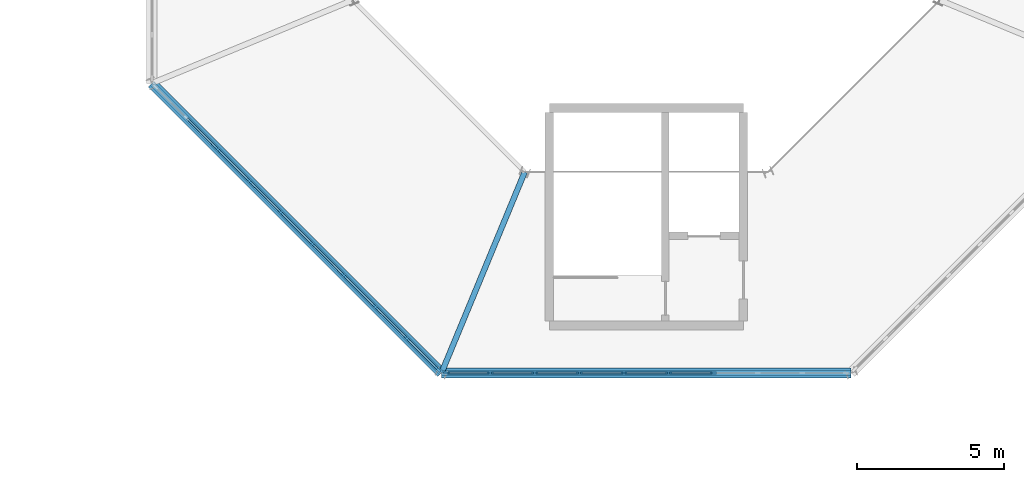
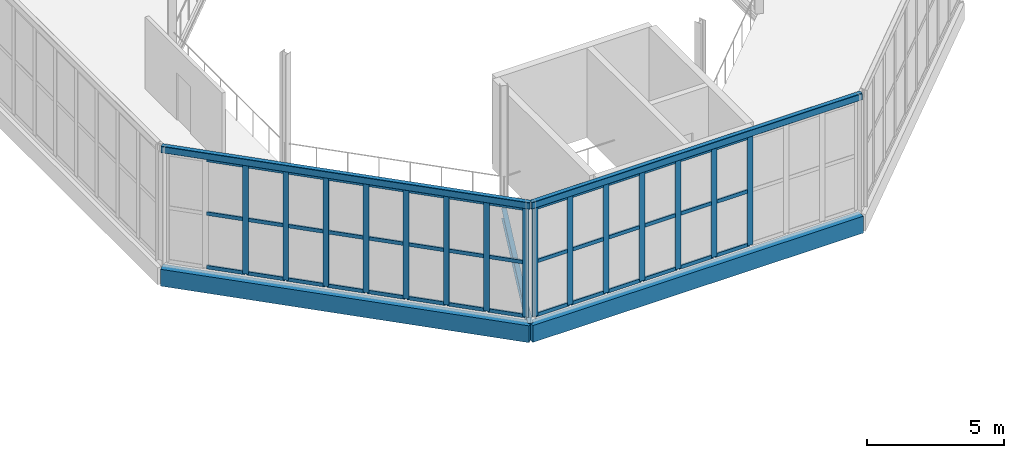
# One storey, part 37 of 161: 57 members, 5 beams, 2 elements without a shape of their own.
"""IFC4 building model written with IfcOpenShell, lengths in metres."""

import ifcopenshell
import ifcopenshell.guid

model = None  # the IFC model being written
_history = None  # IfcOwnerHistory: only IFC2X3 demands one
_inside = {}  # id of a spatial element -> (the spatial element, [elements in it])
_under = {}  # id of a project, library or spatial element -> (it, [spatial elements below it])
_declared = {}  # id of a project -> (the project, [libraries it declares])
_typed = {}  # id of a type object -> (the type object, [elements of that type])
_made_of = {}  # id of a material, layer set ... -> (it, [elements and type objects made of it])


def new_model(schema):
    """Start an empty IFC model of exactly this schema.

    Asked for "IFC4X3", IfcOpenShell would pick the latest addendum, in which some entities
    have other attributes; the version numbers below select the first issue.
    IFC2X3 requires an IfcOwnerHistory on every rooted entity: one is made here for all.
    """
    global model, _history
    if schema == "IFC4X3":
        model = ifcopenshell.file(schema_version=(4, 3, 0, 0))
    else:
        model = ifcopenshell.file(schema=schema)
    _inside.clear()
    _under.clear()
    _declared.clear()
    _typed.clear()
    _made_of.clear()
    _history = None
    if model.schema == "IFC2X3":
        org = make("IfcOrganization", Name="unknown")
        user = make(
            "IfcPersonAndOrganization",
            ThePerson=make("IfcPerson", FamilyName="unknown"),
            TheOrganization=org,
        )
        app = make(
            "IfcApplication",
            ApplicationDeveloper=org,
            Version="unknown",
            ApplicationFullName="unknown",
            ApplicationIdentifier="unknown",
        )
        _history = make(
            "IfcOwnerHistory",
            OwningUser=user,
            OwningApplication=app,
            ChangeAction="ADDED",
            CreationDate=0,
        )
    return model


def make(cls, **values):
    """One entity of the class cls with the attributes given. An attribute that is None is left unset."""
    return model.create_entity(
        cls, **{name: value for name, value in values.items() if value is not None}
    )


def rooted(cls, **values):
    """An entity with a GlobalId (a new one), such as an element, a storey or a relation."""
    return make(cls, GlobalId=ifcopenshell.guid.new(), OwnerHistory=_history, **values)


def si_unit(unit_type, name, prefix=None):
    """IfcSIUnit, for example si_unit("LENGTHUNIT", "METRE", prefix="MILLI")."""
    return make("IfcSIUnit", UnitType=unit_type, Prefix=prefix, Name=name)


def assignment(units):
    """IfcUnitAssignment: the units of a project."""
    return None if units is None else make("IfcUnitAssignment", Units=units)


def point(xyz):
    """IfcCartesianPoint."""
    return None if xyz is None else make("IfcCartesianPoint", Coordinates=xyz)


def direction(xyz):
    """IfcDirection."""
    return None if xyz is None else make("IfcDirection", DirectionRatios=xyz)


def frame(location, z_axis=None, x_axis=None):
    """IfcAxis2Placement3D, a coordinate frame: its origin and axes. An axis left out is left unset."""
    return make(
        "IfcAxis2Placement3D",
        Location=point(location),
        Axis=direction(z_axis),
        RefDirection=direction(x_axis),
    )


def frame_2d(location, x_axis=None):
    """IfcAxis2Placement2D, a coordinate frame in the plane: its origin and x axis."""
    return make(
        "IfcAxis2Placement2D", Location=point(location), RefDirection=direction(x_axis)
    )


def origin():
    """The frame at (0, 0, 0) with its axes left unset."""
    return frame((0.0, 0.0, 0.0))


def origin_2d():
    """The frame at (0, 0) in the plane with its x axis left unset."""
    return frame_2d((0.0, 0.0))


def place(relative_to, where):
    """IfcLocalPlacement: puts the frame where relative to a parent placement (None: the world)."""
    return make(
        "IfcLocalPlacement", PlacementRelTo=relative_to, RelativePlacement=where
    )


def context(
    kind, dimensions, precision=None, world=None, true_north=None, identifier=None
):
    """IfcGeometricRepresentationContext, for example the 3D "Model" context."""
    return make(
        "IfcGeometricRepresentationContext",
        ContextIdentifier=identifier,
        ContextType=kind,
        CoordinateSpaceDimension=dimensions,
        Precision=precision,
        WorldCoordinateSystem=world,
        TrueNorth=true_north,
    )


def subcontext(parent, identifier, kind, view, scale=None):
    """IfcGeometricRepresentationSubContext, for example "Body" below "Model"."""
    return make(
        "IfcGeometricRepresentationSubContext",
        ContextIdentifier=identifier,
        ContextType=kind,
        ParentContext=parent,
        TargetScale=scale,
        TargetView=view,
    )


def project(units=None, contexts=None):
    """IfcProject with its units and contexts."""
    return rooted(
        "IfcProject",
        Name="project",
        RepresentationContexts=contexts,
        UnitsInContext=assignment(units),
    )


def spatial(cls, under=None, at=None, **own):
    """A site, building, storey or space (cls), placed at a placement, below another one or the project."""
    s = rooted(cls, ObjectPlacement=at, **own)
    if under is not None:
        _under.setdefault(under.id(), (under, []))[1].append(s)
    return s


def profile(cls, at=None, kind="AREA", **sizes):
    """A parametric profile (cls). Its sizes go by their IFC names, for example OverallWidth=200.0."""
    return make(cls, ProfileType=kind, Position=at, **sizes)


def rectangle(**sizes):
    """IfcRectangleProfileDef."""
    return profile("IfcRectangleProfileDef", **sizes)


def hollow_rectangle(**sizes):
    """IfcRectangleHollowProfileDef."""
    return profile("IfcRectangleHollowProfileDef", **sizes)


def i_section(**sizes):
    """IfcIShapeProfileDef."""
    return profile("IfcIShapeProfileDef", **sizes)


def extrude(swept, where, along, depth):
    """IfcExtrudedAreaSolid: the profile swept, set in the frame where, extruded along a direction by depth."""
    return make(
        "IfcExtrudedAreaSolid",
        SweptArea=swept,
        Position=where,
        ExtrudedDirection=direction(along),
        Depth=depth,
    )


def shape(context_of_items, identifier, shape_type, items):
    """IfcShapeRepresentation: the items that make up one representation, for example the "Body"."""
    return make(
        "IfcShapeRepresentation",
        ContextOfItems=context_of_items,
        RepresentationIdentifier=identifier,
        RepresentationType=shape_type,
        Items=items,
    )


def material(Name=None, Category=None):
    """IfcMaterial."""
    return make("IfcMaterial", Name=Name, Category=Category)


def material_profile(
    of_material, cross_section, Name=None, Category=None, Priority=None
):
    """IfcMaterialProfile: a cross section and its material."""
    return make(
        "IfcMaterialProfile",
        Name=Name,
        Material=of_material,
        Profile=cross_section,
        Priority=Priority,
        Category=Category,
    )


def profile_set(profiles, Name=None, composite=None):
    """IfcMaterialProfileSet."""
    return make(
        "IfcMaterialProfileSet",
        Name=Name,
        MaterialProfiles=profiles,
        CompositeProfile=composite,
    )


def made_of(thing, what):
    """Note that an element or type object is made of a material, layer set ...; save() writes the relation."""
    if what is not None:
        _made_of.setdefault(what.id(), (what, []))[1].append(thing)
    return thing


def type_object(cls, material=None, **own):
    """A type object (cls), such as IfcWallType, which elements share."""
    return made_of(rooted(cls, **own), material)


def element(
    cls,
    number,
    at=None,
    inside=None,
    cuts=None,
    type_object=None,
    material=None,
    context=None,
    identifier="Body",
    shape_type=None,
    held_by="IfcProductDefinitionShape",
    body=None,
    shapes=None,
    **own,
):
    """One element of the class cls, such as IfcWall. Its Tag is "e" and its number.

    at: its placement. inside: the storey or other place that contains it. cuts: it is an
    opening in that element (IfcRelVoidsElement). A single representation is given by context,
    identifier, shape_type and body (its items); several are given by shapes. held_by: the class
    of the entity that holds the representations. save() writes the other relations.
    """
    e = rooted(cls, Tag="e%d" % number, ObjectPlacement=at, **own)
    if body is not None:
        shapes = [shape(context, identifier, shape_type, body)]
    if shapes is not None:
        e.Representation = make(held_by, Representations=shapes)
    if inside is not None:
        _inside.setdefault(inside.id(), (inside, []))[1].append(e)
    if cuts is not None:
        rooted(
            "IfcRelVoidsElement", RelatingBuildingElement=cuts, RelatedOpeningElement=e
        )
    if type_object is not None:
        _typed.setdefault(type_object.id(), (type_object, []))[1].append(e)
    return made_of(e, material)


def aggregate(whole, parts):
    """IfcRelAggregates: a whole, such as a stair, and the parts it consists of."""
    return rooted("IfcRelAggregates", RelatingObject=whole, RelatedObjects=parts)


def save(model, path):
    """Write the relations noted so far, then the file.

    IfcRelAggregates (storeys below a building ...), IfcRelContainedInSpatialStructure (elements
    in a storey), IfcRelDefinesByType, IfcRelAssociatesMaterial and IfcRelDeclares: one each for
    every whole, place, type object, material and project.
    """
    for whole, parts in _under.values():
        aggregate(whole, parts)
    for where, things in _inside.values():
        rooted(
            "IfcRelContainedInSpatialStructure",
            RelatedElements=things,
            RelatingStructure=where,
        )
    for kind, things in _typed.values():
        rooted("IfcRelDefinesByType", RelatedObjects=things, RelatingType=kind)
    for what, things in _made_of.values():
        rooted("IfcRelAssociatesMaterial", RelatedObjects=things, RelatingMaterial=what)
    for by, libraries in _declared.values():
        rooted("IfcRelDeclares", RelatingContext=by, RelatedDefinitions=libraries)
    model.write(path)


model = new_model("IFC4")

# Units and contexts
model_context = context("Model", 3, precision=1e-05, world=origin(), true_north=direction((0.0, 1.0)))
body_context = subcontext(model_context, "Body", "Model", "MODEL_VIEW")
ifc_project = project(units=[si_unit("LENGTHUNIT", "METRE"), si_unit("AREAUNIT", "SQUARE_METRE"), si_unit("VOLUMEUNIT", "CUBIC_METRE"), si_unit("PLANEANGLEUNIT", "RADIAN"), si_unit("MASSUNIT", "GRAM", prefix="KILO")], contexts=[model_context])

# Site, building, storey
site_placement = place(None, origin())
site = spatial("IfcSite", under=ifc_project, at=site_placement, CompositionType="ELEMENT")
building_placement = place(site_placement, origin())
building = spatial("IfcBuilding", under=site, at=building_placement, Name="Kildeholm Park Wholesale Market", CompositionType="ELEMENT")
storey_placement = place(building_placement, frame((0.0, 0.0, 5.39990234375)))
storey = spatial("IfcBuildingStorey", under=building, at=storey_placement, Name="L01", CompositionType="ELEMENT", Elevation=5.39990234375)

# Beams
ifc_material_1 = material(Name="Steel S355", Category="steel")
ifc_material_profile_1 = material_profile(ifc_material_1, i_section(OverallWidth=0.18994140625, OverallDepth=0.449951171875, WebThickness=0.009521484375, FlangeThickness=0.0146484375, FilletRadius=0.02099609375, at=origin_2d()), Name="IPE 450")
ifc_profile_set_1 = profile_set([ifc_material_profile_1], Name="Steel S355")
beam_type_1 = type_object("IfcBeamType", Name="Beam B-P02 IPE 450", PredefinedType="BEAM", material=ifc_profile_set_1)
beam_1_placement = place(storey_placement, frame((16.866943359375, 62.02197265625, -0.494873046875), z_axis=(-0.382693665462, -0.923875293758, 0.0), x_axis=(0.923875293758, -0.382693665462, 0.0)))
element("IfcBeam", 1, at=beam_1_placement, inside=storey, type_object=beam_type_1, Name="Beam BM-V3-L01-R-05 BM-0505", PredefinedType="BEAM", context=body_context, shape_type="SweptSolid", body=[
    extrude(i_section(OverallWidth=0.18994140625, OverallDepth=0.449951171875, WebThickness=0.009521484375, FlangeThickness=0.0146484375, FilletRadius=0.02099609375, at=origin_2d()), origin(), (0.0, 0.0, 1.0), 7.400146484375),
])
ifc_material_profile_2 = material_profile(ifc_material_1, hollow_rectangle(XDim=0.199951171875, YDim=0.300048828125, WallThickness=0.012451171875, InnerFilletRadius=0.012451171875, OuterFilletRadius=0.02490234375, at=origin_2d()), Name="RHS 300x200x12.5")
ifc_profile_set_2 = profile_set([ifc_material_profile_2], Name="Steel S355")
beam_type_2 = type_object("IfcBeamType", Name="Beam SP-01 RHS 300x200x12.5", PredefinedType="SPANDREL", material=ifc_profile_set_2)
beam_2_placement = place(storey_placement, frame((4.18505859375, 65.034912109375, 5.00927734375), z_axis=(0.707106781187, -0.707106781187, 0.0), x_axis=(0.707106781187, 0.707106781187, 0.0)))
element("IfcBeam", 2, at=beam_2_placement, inside=storey, type_object=beam_type_2, Name="Beam BM-V3-EAV-04 BM-0502", PredefinedType="SPANDREL", context=body_context, shape_type="SweptSolid", body=[
    extrude(hollow_rectangle(XDim=0.199951171875, YDim=0.300048828125, WallThickness=0.012451171875, InnerFilletRadius=0.012451171875, OuterFilletRadius=0.02490234375, at=origin_2d()), origin(), (0.0, 0.0, 1.0), 13.9296875),
])
beam_3_placement = place(storey_placement, frame((14.034912109375, 55.18505859375, 5.00927734375), z_axis=(1.0, 0.0, 0.0), x_axis=(0.0, 1.0, 0.0)))
element("IfcBeam", 3, at=beam_3_placement, inside=storey, type_object=beam_type_2, Name="Beam BM-V3-EAV-05 BM-0507", PredefinedType="SPANDREL", context=body_context, shape_type="SweptSolid", body=[
    extrude(hollow_rectangle(XDim=0.199951171875, YDim=0.300048828125, WallThickness=0.012451171875, InnerFilletRadius=0.012451171875, OuterFilletRadius=0.02490234375, at=origin_2d()), origin(), (0.0, 0.0, 1.0), 13.93017578125),
])
ifc_material_2 = material(Name="Precast concrete C40/50", Category="concrete")
ifc_material_profile_3 = material_profile(ifc_material_2, rectangle(XDim=0.35009765625, YDim=0.75, at=origin_2d()), Name="PC-SP 350x750")
ifc_profile_set_3 = profile_set([ifc_material_profile_3], Name="Precast concrete C40/50")
beam_type_3 = type_object("IfcBeamType", Name="Beam SP-03 PC-SP 350x750", PredefinedType="SPANDREL", material=ifc_profile_set_3)
beam_4_placement = place(storey_placement, frame((4.18505859375, 65.034912109375, -0.64501953125), z_axis=(0.707106781187, -0.707106781187, 0.0), x_axis=(0.707106781187, 0.707106781187, 0.0)))
element("IfcBeam", 4, at=beam_4_placement, inside=storey, type_object=beam_type_3, Name="Beam BM-V3-L01-CO-04 BM-0501", PredefinedType="SPANDREL", context=body_context, shape_type="SweptSolid", body=[
    extrude(rectangle(XDim=0.35009765625, YDim=0.75, at=origin_2d()), origin(), (0.0, 0.0, 1.0), 13.9296875),
])
beam_5_placement = place(storey_placement, frame((14.034912109375, 55.18505859375, -0.64501953125), z_axis=(1.0, 0.0, 0.0), x_axis=(0.0, 1.0, 0.0)))
element("IfcBeam", 5, at=beam_5_placement, inside=storey, type_object=beam_type_3, Name="Beam BM-V3-L01-CO-05 BM-0506", PredefinedType="SPANDREL", context=body_context, shape_type="SweptSolid", body=[
    extrude(rectangle(XDim=0.35009765625, YDim=0.75, at=origin_2d()), origin(), (0.0, 0.0, 1.0), 13.93017578125),
])

# Curtain wall, members
ifc_material_3 = material(Name="Anodised aluminium and low-E double-glazed glass", Category="aluminium")
curtain_wall_type = type_object("IfcCurtainWallType", Name="Clerestory daylight stick curtain wall CW-02", PredefinedType="NOTDEFINED", material=ifc_material_3)
curtain_wall_1_placement = place(storey_placement, origin())
curtain_wall_1 = element("IfcCurtainWall", 6, at=curtain_wall_1_placement, inside=storey, type_object=curtain_wall_type, Name="Curtain wall CW-V3-L01-04 CW-0139", PredefinedType="NOTDEFINED")
ifc_material_4 = material(Name="Anodised aluminium", Category="aluminium")
ifc_material_profile_4 = material_profile(ifc_material_4, rectangle(XDim=0.074951171875, YDim=0.219970703125, at=origin_2d()), Name="CWM 75x220")
ifc_profile_set_4 = profile_set([ifc_material_profile_4], Name="Anodised aluminium")
member_type_1 = type_object("IfcMemberType", Name="Curtain-wall mullion CWM-2 CWM 75x220", PredefinedType="MULLION", material=ifc_profile_set_4)
member_1_placement = place(storey_placement, frame((6.428955078125, 62.791015625, 0.0), z_axis=(0.0, 0.0, 1.0), x_axis=(0.707106781187, 0.707106781187, 0.0)))
member_1 = element("IfcMember", 7, at=member_1_placement, type_object=member_type_1, Name="CW-02 mullion 3 MEM-4294", PredefinedType="MULLION", context=body_context, shape_type="SweptSolid", body=[
    extrude(rectangle(XDim=0.074951171875, YDim=0.219970703125, at=origin_2d()), origin(), (0.0, 0.0, 1.0), 4.85009765625),
])
member_2_placement = place(storey_placement, frame((7.501220703125, 61.71875, 0.0), z_axis=(0.0, 0.0, 1.0), x_axis=(0.707106781187, 0.707106781187, 0.0)))
member_2 = element("IfcMember", 8, at=member_2_placement, type_object=member_type_1, Name="CW-02 mullion 4 MEM-4295", PredefinedType="MULLION", context=body_context, shape_type="SweptSolid", body=[
    extrude(rectangle(XDim=0.074951171875, YDim=0.219970703125, at=origin_2d()), origin(), (0.0, 0.0, 1.0), 4.85009765625),
])
member_3_placement = place(storey_placement, frame((8.57373046875, 60.646240234375, 0.0), z_axis=(0.0, 0.0, 1.0), x_axis=(0.707106781187, 0.707106781187, 0.0)))
member_3 = element("IfcMember", 9, at=member_3_placement, type_object=member_type_1, Name="CW-02 mullion 5 MEM-4296", PredefinedType="MULLION", context=body_context, shape_type="SweptSolid", body=[
    extrude(rectangle(XDim=0.074951171875, YDim=0.219970703125, at=origin_2d()), origin(), (0.0, 0.0, 1.0), 4.85009765625),
])
member_4_placement = place(storey_placement, frame((9.646240234375, 59.57373046875, 0.0), z_axis=(0.0, 0.0, 1.0), x_axis=(0.707106781187, 0.707106781187, 0.0)))
member_4 = element("IfcMember", 10, at=member_4_placement, type_object=member_type_1, Name="CW-02 mullion 6 MEM-4297", PredefinedType="MULLION", context=body_context, shape_type="SweptSolid", body=[
    extrude(rectangle(XDim=0.074951171875, YDim=0.219970703125, at=origin_2d()), origin(), (0.0, 0.0, 1.0), 4.85009765625),
])
member_5_placement = place(storey_placement, frame((10.71875, 58.501220703125, 0.0), z_axis=(0.0, 0.0, 1.0), x_axis=(0.707106781187, 0.707106781187, 0.0)))
member_5 = element("IfcMember", 11, at=member_5_placement, type_object=member_type_1, Name="CW-02 mullion 7 MEM-4298", PredefinedType="MULLION", context=body_context, shape_type="SweptSolid", body=[
    extrude(rectangle(XDim=0.074951171875, YDim=0.219970703125, at=origin_2d()), origin(), (0.0, 0.0, 1.0), 4.85009765625),
])
member_6_placement = place(storey_placement, frame((11.791015625, 57.428955078125, 0.0), z_axis=(0.0, 0.0, 1.0), x_axis=(0.707106781187, 0.707106781187, 0.0)))
member_6 = element("IfcMember", 12, at=member_6_placement, type_object=member_type_1, Name="CW-02 mullion 8 MEM-4299", PredefinedType="MULLION", context=body_context, shape_type="SweptSolid", body=[
    extrude(rectangle(XDim=0.074951171875, YDim=0.219970703125, at=origin_2d()), origin(), (0.0, 0.0, 1.0), 4.85009765625),
])
member_7_placement = place(storey_placement, frame((12.863525390625, 56.3564453125, 0.0), z_axis=(0.0, 0.0, 1.0), x_axis=(0.707106781187, 0.707106781187, 0.0)))
member_7 = element("IfcMember", 13, at=member_7_placement, type_object=member_type_1, Name="CW-02 mullion 9 MEM-4300", PredefinedType="MULLION", context=body_context, shape_type="SweptSolid", body=[
    extrude(rectangle(XDim=0.074951171875, YDim=0.219970703125, at=origin_2d()), origin(), (0.0, 0.0, 1.0), 4.85009765625),
])
member_8_placement = place(storey_placement, frame((13.909423828125, 55.310546875, 0.0), z_axis=(0.0, 0.0, 1.0), x_axis=(0.707106781187, 0.707106781187, 0.0)))
member_8 = element("IfcMember", 14, at=member_8_placement, type_object=member_type_1, Name="CW-02 mullion 10 MEM-4301", PredefinedType="MULLION", context=body_context, shape_type="SweptSolid", body=[
    extrude(rectangle(XDim=0.074951171875, YDim=0.219970703125, at=origin_2d()), origin(), (0.0, 0.0, 1.0), 4.85009765625),
])

curtain_wall_2_placement = place(storey_placement, origin())
curtain_wall_2 = element("IfcCurtainWall", 15, at=curtain_wall_2_placement, inside=storey, type_object=curtain_wall_type, Name="Curtain wall CW-V3-L01-05 CW-0140", PredefinedType="NOTDEFINED")
member_9_placement = place(storey_placement, frame((14.21240234375, 55.18505859375, 0.0), z_axis=(0.0, 0.0, 1.0), x_axis=(0.0, 1.0, 0.0)))
member_9 = element("IfcMember", 16, at=member_9_placement, type_object=member_type_1, Name="CW-02 mullion 1 MEM-4329", PredefinedType="MULLION", context=body_context, shape_type="SweptSolid", body=[
    extrude(rectangle(XDim=0.074951171875, YDim=0.219970703125, at=origin_2d()), origin(), (0.0, 0.0, 1.0), 4.85009765625),
])
member_10_placement = place(storey_placement, frame((15.691650390625, 55.18505859375, 0.0), z_axis=(0.0, 0.0, 1.0), x_axis=(0.0, 1.0, 0.0)))
member_10 = element("IfcMember", 17, at=member_10_placement, type_object=member_type_1, Name="CW-02 mullion 2 MEM-4330", PredefinedType="MULLION", context=body_context, shape_type="SweptSolid", body=[
    extrude(rectangle(XDim=0.074951171875, YDim=0.219970703125, at=origin_2d()), origin(), (0.0, 0.0, 1.0), 4.85009765625),
])
member_11_placement = place(storey_placement, frame((17.208251953125, 55.18505859375, 0.0), z_axis=(0.0, 0.0, 1.0), x_axis=(0.0, 1.0, 0.0)))
member_11 = element("IfcMember", 18, at=member_11_placement, type_object=member_type_1, Name="CW-02 mullion 3 MEM-4331", PredefinedType="MULLION", context=body_context, shape_type="SweptSolid", body=[
    extrude(rectangle(XDim=0.074951171875, YDim=0.219970703125, at=origin_2d()), origin(), (0.0, 0.0, 1.0), 4.85009765625),
])
member_12_placement = place(storey_placement, frame((18.72509765625, 55.18505859375, 0.0), z_axis=(0.0, 0.0, 1.0), x_axis=(0.0, 1.0, 0.0)))
member_12 = element("IfcMember", 19, at=member_12_placement, type_object=member_type_1, Name="CW-02 mullion 4 MEM-4332", PredefinedType="MULLION", context=body_context, shape_type="SweptSolid", body=[
    extrude(rectangle(XDim=0.074951171875, YDim=0.219970703125, at=origin_2d()), origin(), (0.0, 0.0, 1.0), 4.85009765625),
])
member_13_placement = place(storey_placement, frame((20.24169921875, 55.18505859375, 0.0), z_axis=(0.0, 0.0, 1.0), x_axis=(0.0, 1.0, 0.0)))
member_13 = element("IfcMember", 20, at=member_13_placement, type_object=member_type_1, Name="CW-02 mullion 5 MEM-4333", PredefinedType="MULLION", context=body_context, shape_type="SweptSolid", body=[
    extrude(rectangle(XDim=0.074951171875, YDim=0.219970703125, at=origin_2d()), origin(), (0.0, 0.0, 1.0), 4.85009765625),
])
member_14_placement = place(storey_placement, frame((21.75830078125, 55.18505859375, 0.0), z_axis=(0.0, 0.0, 1.0), x_axis=(0.0, 1.0, 0.0)))
member_14 = element("IfcMember", 21, at=member_14_placement, type_object=member_type_1, Name="CW-02 mullion 6 MEM-4334", PredefinedType="MULLION", context=body_context, shape_type="SweptSolid", body=[
    extrude(rectangle(XDim=0.074951171875, YDim=0.219970703125, at=origin_2d()), origin(), (0.0, 0.0, 1.0), 4.85009765625),
])
member_15_placement = place(storey_placement, frame((23.27490234375, 55.18505859375, 0.0), z_axis=(0.0, 0.0, 1.0), x_axis=(0.0, 1.0, 0.0)))
member_15 = element("IfcMember", 22, at=member_15_placement, type_object=member_type_1, Name="CW-02 mullion 7 MEM-4335", PredefinedType="MULLION", context=body_context, shape_type="SweptSolid", body=[
    extrude(rectangle(XDim=0.074951171875, YDim=0.219970703125, at=origin_2d()), origin(), (0.0, 0.0, 1.0), 4.85009765625),
])

# Member
ifc_material_profile_5 = material_profile(ifc_material_4, rectangle(XDim=0.074951171875, YDim=0.159912109375, at=origin_2d()), Name="CWT 75x160")
ifc_profile_set_5 = profile_set([ifc_material_profile_5], Name="Anodised aluminium")
member_type_2 = type_object("IfcMemberType", Name="Curtain-wall transom CWT-2 CWT 75x160", PredefinedType="USERDEFINED", material=ifc_profile_set_5)
member_16_placement = place(storey_placement, frame((5.383056640625, 63.837158203125, 0.03759765625), z_axis=(0.707022102811, -0.707191449423, 0.0), x_axis=(0.707191449423, 0.707022102811, 0.0)))
member_16 = element("IfcMember", 23, at=member_16_placement, type_object=member_type_2, Name="CW-02 transom 2.1 MEM-4305", ObjectType="TRANSOM", PredefinedType="USERDEFINED", context=body_context, shape_type="SweptSolid", body=[
    extrude(rectangle(XDim=0.074951171875, YDim=0.159912109375, at=origin_2d()), origin(), (0.0, 0.0, 1.0), 1.441650390625),
])

member_17_placement = place(storey_placement, frame((5.383056640625, 63.837158203125, 2.425048828125), z_axis=(0.707022102811, -0.707191449423, 0.0), x_axis=(0.707191449423, 0.707022102811, 0.0)))
member_17 = element("IfcMember", 24, at=member_17_placement, type_object=member_type_2, Name="CW-02 transom 2.2 MEM-4306", ObjectType="TRANSOM", PredefinedType="USERDEFINED", context=body_context, shape_type="SweptSolid", body=[
    extrude(rectangle(XDim=0.074951171875, YDim=0.159912109375, at=origin_2d()), origin(), (0.0, 0.0, 1.0), 1.441650390625),
])

member_18_placement = place(storey_placement, frame((5.383056640625, 63.837158203125, 4.8125), z_axis=(0.707022102811, -0.707191449423, 0.0), x_axis=(0.707191449423, 0.707022102811, 0.0)))
member_18 = element("IfcMember", 25, at=member_18_placement, type_object=member_type_2, Name="CW-02 transom 2.3 MEM-4307", ObjectType="TRANSOM", PredefinedType="USERDEFINED", context=body_context, shape_type="SweptSolid", body=[
    extrude(rectangle(XDim=0.074951171875, YDim=0.159912109375, at=origin_2d()), origin(), (0.0, 0.0, 1.0), 1.441650390625),
])

member_19_placement = place(storey_placement, frame((6.455322265625, 62.7646484375, 0.03759765625), z_axis=(0.707106781187, -0.707106781187, 0.0), x_axis=(0.707106781187, 0.707106781187, 0.0)))
member_19 = element("IfcMember", 26, at=member_19_placement, type_object=member_type_2, Name="CW-02 transom 3.1 MEM-4308", ObjectType="TRANSOM", PredefinedType="USERDEFINED", context=body_context, shape_type="SweptSolid", body=[
    extrude(rectangle(XDim=0.074951171875, YDim=0.159912109375, at=origin_2d()), origin(), (0.0, 0.0, 1.0), 1.44189453125),
])

member_20_placement = place(storey_placement, frame((6.455322265625, 62.7646484375, 2.425048828125), z_axis=(0.707106781187, -0.707106781187, 0.0), x_axis=(0.707106781187, 0.707106781187, 0.0)))
member_20 = element("IfcMember", 27, at=member_20_placement, type_object=member_type_2, Name="CW-02 transom 3.2 MEM-4309", ObjectType="TRANSOM", PredefinedType="USERDEFINED", context=body_context, shape_type="SweptSolid", body=[
    extrude(rectangle(XDim=0.074951171875, YDim=0.159912109375, at=origin_2d()), origin(), (0.0, 0.0, 1.0), 1.44189453125),
])

member_21_placement = place(storey_placement, frame((6.455322265625, 62.7646484375, 4.8125), z_axis=(0.707106781187, -0.707106781187, 0.0), x_axis=(0.707106781187, 0.707106781187, 0.0)))
member_21 = element("IfcMember", 28, at=member_21_placement, type_object=member_type_2, Name="CW-02 transom 3.3 MEM-4310", ObjectType="TRANSOM", PredefinedType="USERDEFINED", context=body_context, shape_type="SweptSolid", body=[
    extrude(rectangle(XDim=0.074951171875, YDim=0.159912109375, at=origin_2d()), origin(), (0.0, 0.0, 1.0), 1.44189453125),
])

member_22_placement = place(storey_placement, frame((7.52783203125, 61.692138671875, 0.03759765625), z_axis=(0.707191449423, -0.707022102811, 0.0), x_axis=(0.707022102811, 0.707191449423, 0.0)))
member_22 = element("IfcMember", 29, at=member_22_placement, type_object=member_type_2, Name="CW-02 transom 4.1 MEM-4311", ObjectType="TRANSOM", PredefinedType="USERDEFINED", context=body_context, shape_type="SweptSolid", body=[
    extrude(rectangle(XDim=0.074951171875, YDim=0.159912109375, at=origin_2d()), origin(), (0.0, 0.0, 1.0), 1.441650390625),
])

member_23_placement = place(storey_placement, frame((7.52783203125, 61.692138671875, 2.425048828125), z_axis=(0.707191449423, -0.707022102811, 0.0), x_axis=(0.707022102811, 0.707191449423, 0.0)))
member_23 = element("IfcMember", 30, at=member_23_placement, type_object=member_type_2, Name="CW-02 transom 4.2 MEM-4312", ObjectType="TRANSOM", PredefinedType="USERDEFINED", context=body_context, shape_type="SweptSolid", body=[
    extrude(rectangle(XDim=0.074951171875, YDim=0.159912109375, at=origin_2d()), origin(), (0.0, 0.0, 1.0), 1.441650390625),
])

member_24_placement = place(storey_placement, frame((7.52783203125, 61.692138671875, 4.8125), z_axis=(0.707191449423, -0.707022102811, 0.0), x_axis=(0.707022102811, 0.707191449423, 0.0)))
member_24 = element("IfcMember", 31, at=member_24_placement, type_object=member_type_2, Name="CW-02 transom 4.3 MEM-4313", ObjectType="TRANSOM", PredefinedType="USERDEFINED", context=body_context, shape_type="SweptSolid", body=[
    extrude(rectangle(XDim=0.074951171875, YDim=0.159912109375, at=origin_2d()), origin(), (0.0, 0.0, 1.0), 1.441650390625),
])

member_25_placement = place(storey_placement, frame((8.600341796875, 60.61962890625, 0.03759765625), z_axis=(0.707106781187, -0.707106781187, 0.0), x_axis=(0.707106781187, 0.707106781187, 0.0)))
member_25 = element("IfcMember", 32, at=member_25_placement, type_object=member_type_2, Name="CW-02 transom 5.1 MEM-4314", ObjectType="TRANSOM", PredefinedType="USERDEFINED", context=body_context, shape_type="SweptSolid", body=[
    extrude(rectangle(XDim=0.074951171875, YDim=0.159912109375, at=origin_2d()), origin(), (0.0, 0.0, 1.0), 1.44140625),
])

member_26_placement = place(storey_placement, frame((8.600341796875, 60.61962890625, 2.425048828125), z_axis=(0.707106781187, -0.707106781187, 0.0), x_axis=(0.707106781187, 0.707106781187, 0.0)))
member_26 = element("IfcMember", 33, at=member_26_placement, type_object=member_type_2, Name="CW-02 transom 5.2 MEM-4315", ObjectType="TRANSOM", PredefinedType="USERDEFINED", context=body_context, shape_type="SweptSolid", body=[
    extrude(rectangle(XDim=0.074951171875, YDim=0.159912109375, at=origin_2d()), origin(), (0.0, 0.0, 1.0), 1.44140625),
])

member_27_placement = place(storey_placement, frame((8.600341796875, 60.61962890625, 4.8125), z_axis=(0.707106781187, -0.707106781187, 0.0), x_axis=(0.707106781187, 0.707106781187, 0.0)))
member_27 = element("IfcMember", 34, at=member_27_placement, type_object=member_type_2, Name="CW-02 transom 5.3 MEM-4316", ObjectType="TRANSOM", PredefinedType="USERDEFINED", context=body_context, shape_type="SweptSolid", body=[
    extrude(rectangle(XDim=0.074951171875, YDim=0.159912109375, at=origin_2d()), origin(), (0.0, 0.0, 1.0), 1.44140625),
])

member_28_placement = place(storey_placement, frame((9.6728515625, 59.54736328125, 0.03759765625), z_axis=(0.707022102811, -0.707191449423, 0.0), x_axis=(0.707191449423, 0.707022102811, 0.0)))
member_28 = element("IfcMember", 35, at=member_28_placement, type_object=member_type_2, Name="CW-02 transom 6.1 MEM-4317", ObjectType="TRANSOM", PredefinedType="USERDEFINED", context=body_context, shape_type="SweptSolid", body=[
    extrude(rectangle(XDim=0.074951171875, YDim=0.159912109375, at=origin_2d()), origin(), (0.0, 0.0, 1.0), 1.441650390625),
])

member_29_placement = place(storey_placement, frame((9.6728515625, 59.54736328125, 2.425048828125), z_axis=(0.707022102811, -0.707191449423, 0.0), x_axis=(0.707191449423, 0.707022102811, 0.0)))
member_29 = element("IfcMember", 36, at=member_29_placement, type_object=member_type_2, Name="CW-02 transom 6.2 MEM-4318", ObjectType="TRANSOM", PredefinedType="USERDEFINED", context=body_context, shape_type="SweptSolid", body=[
    extrude(rectangle(XDim=0.074951171875, YDim=0.159912109375, at=origin_2d()), origin(), (0.0, 0.0, 1.0), 1.441650390625),
])

member_30_placement = place(storey_placement, frame((9.6728515625, 59.54736328125, 4.8125), z_axis=(0.707022102811, -0.707191449423, 0.0), x_axis=(0.707191449423, 0.707022102811, 0.0)))
member_30 = element("IfcMember", 37, at=member_30_placement, type_object=member_type_2, Name="CW-02 transom 6.3 MEM-4319", ObjectType="TRANSOM", PredefinedType="USERDEFINED", context=body_context, shape_type="SweptSolid", body=[
    extrude(rectangle(XDim=0.074951171875, YDim=0.159912109375, at=origin_2d()), origin(), (0.0, 0.0, 1.0), 1.441650390625),
])

member_31_placement = place(storey_placement, frame((10.7451171875, 58.474853515625, 0.03759765625), z_axis=(0.707106781187, -0.707106781187, 0.0), x_axis=(0.707106781187, 0.707106781187, 0.0)))
member_31 = element("IfcMember", 38, at=member_31_placement, type_object=member_type_2, Name="CW-02 transom 7.1 MEM-4320", ObjectType="TRANSOM", PredefinedType="USERDEFINED", context=body_context, shape_type="SweptSolid", body=[
    extrude(rectangle(XDim=0.074951171875, YDim=0.159912109375, at=origin_2d()), origin(), (0.0, 0.0, 1.0), 1.44189453125),
])

member_32_placement = place(storey_placement, frame((10.7451171875, 58.474853515625, 2.425048828125), z_axis=(0.707106781187, -0.707106781187, 0.0), x_axis=(0.707106781187, 0.707106781187, 0.0)))
member_32 = element("IfcMember", 39, at=member_32_placement, type_object=member_type_2, Name="CW-02 transom 7.2 MEM-4321", ObjectType="TRANSOM", PredefinedType="USERDEFINED", context=body_context, shape_type="SweptSolid", body=[
    extrude(rectangle(XDim=0.074951171875, YDim=0.159912109375, at=origin_2d()), origin(), (0.0, 0.0, 1.0), 1.44189453125),
])

member_33_placement = place(storey_placement, frame((10.7451171875, 58.474853515625, 4.8125), z_axis=(0.707106781187, -0.707106781187, 0.0), x_axis=(0.707106781187, 0.707106781187, 0.0)))
member_33 = element("IfcMember", 40, at=member_33_placement, type_object=member_type_2, Name="CW-02 transom 7.3 MEM-4322", ObjectType="TRANSOM", PredefinedType="USERDEFINED", context=body_context, shape_type="SweptSolid", body=[
    extrude(rectangle(XDim=0.074951171875, YDim=0.159912109375, at=origin_2d()), origin(), (0.0, 0.0, 1.0), 1.44189453125),
])

member_34_placement = place(storey_placement, frame((11.817626953125, 57.40234375, 0.03759765625), z_axis=(0.707191449423, -0.707022102811, 0.0), x_axis=(0.707022102811, 0.707191449423, 0.0)))
member_34 = element("IfcMember", 41, at=member_34_placement, type_object=member_type_2, Name="CW-02 transom 8.1 MEM-4323", ObjectType="TRANSOM", PredefinedType="USERDEFINED", context=body_context, shape_type="SweptSolid", body=[
    extrude(rectangle(XDim=0.074951171875, YDim=0.159912109375, at=origin_2d()), origin(), (0.0, 0.0, 1.0), 1.441650390625),
])

member_35_placement = place(storey_placement, frame((11.817626953125, 57.40234375, 2.425048828125), z_axis=(0.707191449423, -0.707022102811, 0.0), x_axis=(0.707022102811, 0.707191449423, 0.0)))
member_35 = element("IfcMember", 42, at=member_35_placement, type_object=member_type_2, Name="CW-02 transom 8.2 MEM-4324", ObjectType="TRANSOM", PredefinedType="USERDEFINED", context=body_context, shape_type="SweptSolid", body=[
    extrude(rectangle(XDim=0.074951171875, YDim=0.159912109375, at=origin_2d()), origin(), (0.0, 0.0, 1.0), 1.441650390625),
])

member_36_placement = place(storey_placement, frame((11.817626953125, 57.40234375, 4.8125), z_axis=(0.707191449423, -0.707022102811, 0.0), x_axis=(0.707022102811, 0.707191449423, 0.0)))
member_36 = element("IfcMember", 43, at=member_36_placement, type_object=member_type_2, Name="CW-02 transom 8.3 MEM-4325", ObjectType="TRANSOM", PredefinedType="USERDEFINED", context=body_context, shape_type="SweptSolid", body=[
    extrude(rectangle(XDim=0.074951171875, YDim=0.159912109375, at=origin_2d()), origin(), (0.0, 0.0, 1.0), 1.441650390625),
])

member_37_placement = place(storey_placement, frame((12.89013671875, 56.329833984375, 0.03759765625), z_axis=(0.707106781187, -0.707106781187, 0.0), x_axis=(0.707106781187, 0.707106781187, 0.0)))
member_37 = element("IfcMember", 44, at=member_37_placement, type_object=member_type_2, Name="CW-02 transom 9.1 MEM-4326", ObjectType="TRANSOM", PredefinedType="USERDEFINED", context=body_context, shape_type="SweptSolid", body=[
    extrude(rectangle(XDim=0.074951171875, YDim=0.159912109375, at=origin_2d()), origin(), (0.0, 0.0, 1.0), 1.404296875),
])

member_38_placement = place(storey_placement, frame((12.89013671875, 56.329833984375, 2.425048828125), z_axis=(0.707106781187, -0.707106781187, 0.0), x_axis=(0.707106781187, 0.707106781187, 0.0)))
member_38 = element("IfcMember", 45, at=member_38_placement, type_object=member_type_2, Name="CW-02 transom 9.2 MEM-4327", ObjectType="TRANSOM", PredefinedType="USERDEFINED", context=body_context, shape_type="SweptSolid", body=[
    extrude(rectangle(XDim=0.074951171875, YDim=0.159912109375, at=origin_2d()), origin(), (0.0, 0.0, 1.0), 1.404296875),
])

member_39_placement = place(storey_placement, frame((12.89013671875, 56.329833984375, 4.8125), z_axis=(0.707106781187, -0.707106781187, 0.0), x_axis=(0.707106781187, 0.707106781187, 0.0)))
member_39 = element("IfcMember", 46, at=member_39_placement, type_object=member_type_2, Name="CW-02 transom 9.3 MEM-4328", ObjectType="TRANSOM", PredefinedType="USERDEFINED", context=body_context, shape_type="SweptSolid", body=[
    extrude(rectangle(XDim=0.074951171875, YDim=0.159912109375, at=origin_2d()), origin(), (0.0, 0.0, 1.0), 1.404296875),
])

aggregate(curtain_wall_1, [member_1, member_2, member_3, member_4, member_5, member_6, member_7, member_8, member_16, member_17, member_18, member_19, member_20, member_21, member_22, member_23, member_24, member_25, member_26, member_27, member_28, member_29, member_30, member_31, member_32, member_33, member_34, member_35, member_36, member_37, member_38, member_39])

member_40_placement = place(storey_placement, frame((14.25, 55.18505859375, 0.03759765625), z_axis=(1.0, 0.0, 0.0), x_axis=(0.0, 1.0, 0.0)))
member_40 = element("IfcMember", 47, at=member_40_placement, type_object=member_type_2, Name="CW-02 transom 1.1 MEM-4339", ObjectType="TRANSOM", PredefinedType="USERDEFINED", context=body_context, shape_type="SweptSolid", body=[
    extrude(rectangle(XDim=0.074951171875, YDim=0.159912109375, at=origin_2d()), origin(), (0.0, 0.0, 1.0), 1.404052734375),
])

member_41_placement = place(storey_placement, frame((14.25, 55.18505859375, 2.425048828125), z_axis=(1.0, 0.0, 0.0), x_axis=(0.0, 1.0, 0.0)))
member_41 = element("IfcMember", 48, at=member_41_placement, type_object=member_type_2, Name="CW-02 transom 1.2 MEM-4340", ObjectType="TRANSOM", PredefinedType="USERDEFINED", context=body_context, shape_type="SweptSolid", body=[
    extrude(rectangle(XDim=0.074951171875, YDim=0.159912109375, at=origin_2d()), origin(), (0.0, 0.0, 1.0), 1.404052734375),
])

member_42_placement = place(storey_placement, frame((14.25, 55.18505859375, 4.8125), z_axis=(1.0, 0.0, 0.0), x_axis=(0.0, 1.0, 0.0)))
member_42 = element("IfcMember", 49, at=member_42_placement, type_object=member_type_2, Name="CW-02 transom 1.3 MEM-4341", ObjectType="TRANSOM", PredefinedType="USERDEFINED", context=body_context, shape_type="SweptSolid", body=[
    extrude(rectangle(XDim=0.074951171875, YDim=0.159912109375, at=origin_2d()), origin(), (0.0, 0.0, 1.0), 1.404052734375),
])

member_43_placement = place(storey_placement, frame((15.729248046875, 55.18505859375, 0.03759765625), z_axis=(1.0, 0.0, 0.0), x_axis=(0.0, 1.0, 0.0)))
member_43 = element("IfcMember", 50, at=member_43_placement, type_object=member_type_2, Name="CW-02 transom 2.1 MEM-4342", ObjectType="TRANSOM", PredefinedType="USERDEFINED", context=body_context, shape_type="SweptSolid", body=[
    extrude(rectangle(XDim=0.074951171875, YDim=0.159912109375, at=origin_2d()), origin(), (0.0, 0.0, 1.0), 1.441650390625),
])

member_44_placement = place(storey_placement, frame((15.729248046875, 55.18505859375, 2.425048828125), z_axis=(1.0, 0.0, 0.0), x_axis=(0.0, 1.0, 0.0)))
member_44 = element("IfcMember", 51, at=member_44_placement, type_object=member_type_2, Name="CW-02 transom 2.2 MEM-4343", ObjectType="TRANSOM", PredefinedType="USERDEFINED", context=body_context, shape_type="SweptSolid", body=[
    extrude(rectangle(XDim=0.074951171875, YDim=0.159912109375, at=origin_2d()), origin(), (0.0, 0.0, 1.0), 1.441650390625),
])

member_45_placement = place(storey_placement, frame((15.729248046875, 55.18505859375, 4.8125), z_axis=(1.0, 0.0, 0.0), x_axis=(0.0, 1.0, 0.0)))
member_45 = element("IfcMember", 52, at=member_45_placement, type_object=member_type_2, Name="CW-02 transom 2.3 MEM-4344", ObjectType="TRANSOM", PredefinedType="USERDEFINED", context=body_context, shape_type="SweptSolid", body=[
    extrude(rectangle(XDim=0.074951171875, YDim=0.159912109375, at=origin_2d()), origin(), (0.0, 0.0, 1.0), 1.441650390625),
])

member_46_placement = place(storey_placement, frame((17.245849609375, 55.18505859375, 0.03759765625), z_axis=(1.0, 0.0, 0.0), x_axis=(0.0, 1.0, 0.0)))
member_46 = element("IfcMember", 53, at=member_46_placement, type_object=member_type_2, Name="CW-02 transom 3.1 MEM-4345", ObjectType="TRANSOM", PredefinedType="USERDEFINED", context=body_context, shape_type="SweptSolid", body=[
    extrude(rectangle(XDim=0.074951171875, YDim=0.159912109375, at=origin_2d()), origin(), (0.0, 0.0, 1.0), 1.441650390625),
])

member_47_placement = place(storey_placement, frame((17.245849609375, 55.18505859375, 2.425048828125), z_axis=(1.0, 0.0, 0.0), x_axis=(0.0, 1.0, 0.0)))
member_47 = element("IfcMember", 54, at=member_47_placement, type_object=member_type_2, Name="CW-02 transom 3.2 MEM-4346", ObjectType="TRANSOM", PredefinedType="USERDEFINED", context=body_context, shape_type="SweptSolid", body=[
    extrude(rectangle(XDim=0.074951171875, YDim=0.159912109375, at=origin_2d()), origin(), (0.0, 0.0, 1.0), 1.441650390625),
])

member_48_placement = place(storey_placement, frame((17.245849609375, 55.18505859375, 4.8125), z_axis=(1.0, 0.0, 0.0), x_axis=(0.0, 1.0, 0.0)))
member_48 = element("IfcMember", 55, at=member_48_placement, type_object=member_type_2, Name="CW-02 transom 3.3 MEM-4347", ObjectType="TRANSOM", PredefinedType="USERDEFINED", context=body_context, shape_type="SweptSolid", body=[
    extrude(rectangle(XDim=0.074951171875, YDim=0.159912109375, at=origin_2d()), origin(), (0.0, 0.0, 1.0), 1.441650390625),
])

member_49_placement = place(storey_placement, frame((18.762451171875, 55.18505859375, 0.03759765625), z_axis=(1.0, 0.0, 0.0), x_axis=(0.0, 1.0, 0.0)))
member_49 = element("IfcMember", 56, at=member_49_placement, type_object=member_type_2, Name="CW-02 transom 4.1 MEM-4348", ObjectType="TRANSOM", PredefinedType="USERDEFINED", context=body_context, shape_type="SweptSolid", body=[
    extrude(rectangle(XDim=0.074951171875, YDim=0.159912109375, at=origin_2d()), origin(), (0.0, 0.0, 1.0), 1.441650390625),
])

member_50_placement = place(storey_placement, frame((18.762451171875, 55.18505859375, 2.425048828125), z_axis=(1.0, 0.0, 0.0), x_axis=(0.0, 1.0, 0.0)))
member_50 = element("IfcMember", 57, at=member_50_placement, type_object=member_type_2, Name="CW-02 transom 4.2 MEM-4349", ObjectType="TRANSOM", PredefinedType="USERDEFINED", context=body_context, shape_type="SweptSolid", body=[
    extrude(rectangle(XDim=0.074951171875, YDim=0.159912109375, at=origin_2d()), origin(), (0.0, 0.0, 1.0), 1.441650390625),
])

member_51_placement = place(storey_placement, frame((18.762451171875, 55.18505859375, 4.8125), z_axis=(1.0, 0.0, 0.0), x_axis=(0.0, 1.0, 0.0)))
member_51 = element("IfcMember", 58, at=member_51_placement, type_object=member_type_2, Name="CW-02 transom 4.3 MEM-4350", ObjectType="TRANSOM", PredefinedType="USERDEFINED", context=body_context, shape_type="SweptSolid", body=[
    extrude(rectangle(XDim=0.074951171875, YDim=0.159912109375, at=origin_2d()), origin(), (0.0, 0.0, 1.0), 1.441650390625),
])

member_52_placement = place(storey_placement, frame((20.279052734375, 55.18505859375, 0.03759765625), z_axis=(1.0, 0.0, 0.0), x_axis=(0.0, 1.0, 0.0)))
member_52 = element("IfcMember", 59, at=member_52_placement, type_object=member_type_2, Name="CW-02 transom 5.1 MEM-4351", ObjectType="TRANSOM", PredefinedType="USERDEFINED", context=body_context, shape_type="SweptSolid", body=[
    extrude(rectangle(XDim=0.074951171875, YDim=0.159912109375, at=origin_2d()), origin(), (0.0, 0.0, 1.0), 1.44189453125),
])

member_53_placement = place(storey_placement, frame((20.279052734375, 55.18505859375, 2.425048828125), z_axis=(1.0, 0.0, 0.0), x_axis=(0.0, 1.0, 0.0)))
member_53 = element("IfcMember", 60, at=member_53_placement, type_object=member_type_2, Name="CW-02 transom 5.2 MEM-4352", ObjectType="TRANSOM", PredefinedType="USERDEFINED", context=body_context, shape_type="SweptSolid", body=[
    extrude(rectangle(XDim=0.074951171875, YDim=0.159912109375, at=origin_2d()), origin(), (0.0, 0.0, 1.0), 1.44189453125),
])

member_54_placement = place(storey_placement, frame((20.279052734375, 55.18505859375, 4.8125), z_axis=(1.0, 0.0, 0.0), x_axis=(0.0, 1.0, 0.0)))
member_54 = element("IfcMember", 61, at=member_54_placement, type_object=member_type_2, Name="CW-02 transom 5.3 MEM-4353", ObjectType="TRANSOM", PredefinedType="USERDEFINED", context=body_context, shape_type="SweptSolid", body=[
    extrude(rectangle(XDim=0.074951171875, YDim=0.159912109375, at=origin_2d()), origin(), (0.0, 0.0, 1.0), 1.44189453125),
])

member_55_placement = place(storey_placement, frame((21.7958984375, 55.18505859375, 0.03759765625), z_axis=(1.0, 0.0, 0.0), x_axis=(0.0, 1.0, 0.0)))
member_55 = element("IfcMember", 62, at=member_55_placement, type_object=member_type_2, Name="CW-02 transom 6.1 MEM-4354", ObjectType="TRANSOM", PredefinedType="USERDEFINED", context=body_context, shape_type="SweptSolid", body=[
    extrude(rectangle(XDim=0.074951171875, YDim=0.159912109375, at=origin_2d()), origin(), (0.0, 0.0, 1.0), 1.441650390625),
])

member_56_placement = place(storey_placement, frame((21.7958984375, 55.18505859375, 2.425048828125), z_axis=(1.0, 0.0, 0.0), x_axis=(0.0, 1.0, 0.0)))
member_56 = element("IfcMember", 63, at=member_56_placement, type_object=member_type_2, Name="CW-02 transom 6.2 MEM-4355", ObjectType="TRANSOM", PredefinedType="USERDEFINED", context=body_context, shape_type="SweptSolid", body=[
    extrude(rectangle(XDim=0.074951171875, YDim=0.159912109375, at=origin_2d()), origin(), (0.0, 0.0, 1.0), 1.441650390625),
])

member_57_placement = place(storey_placement, frame((21.7958984375, 55.18505859375, 4.8125), z_axis=(1.0, 0.0, 0.0), x_axis=(0.0, 1.0, 0.0)))
member_57 = element("IfcMember", 64, at=member_57_placement, type_object=member_type_2, Name="CW-02 transom 6.3 MEM-4356", ObjectType="TRANSOM", PredefinedType="USERDEFINED", context=body_context, shape_type="SweptSolid", body=[
    extrude(rectangle(XDim=0.074951171875, YDim=0.159912109375, at=origin_2d()), origin(), (0.0, 0.0, 1.0), 1.441650390625),
])

aggregate(curtain_wall_2, [member_9, member_10, member_11, member_12, member_13, member_14, member_15, member_40, member_41, member_42, member_43, member_44, member_45, member_46, member_47, member_48, member_49, member_50, member_51, member_52, member_53, member_54, member_55, member_56, member_57])

save(model, "model.ifc")
